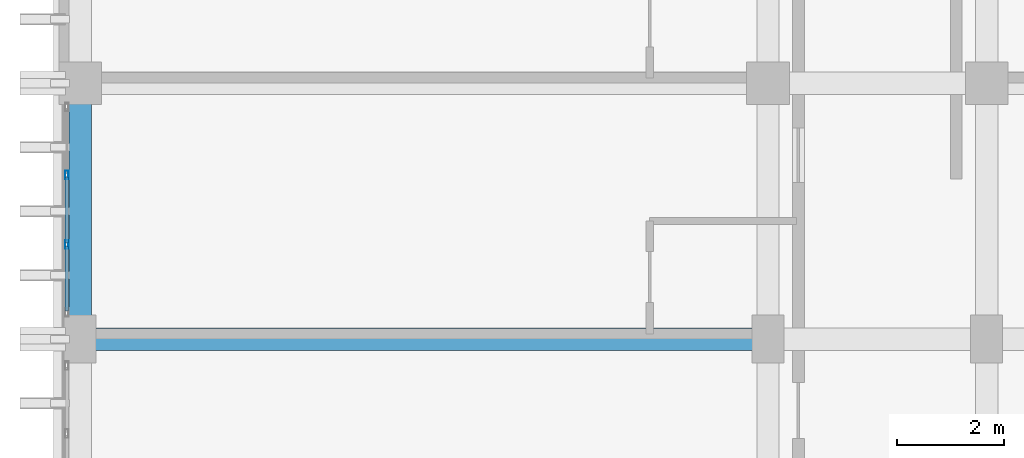
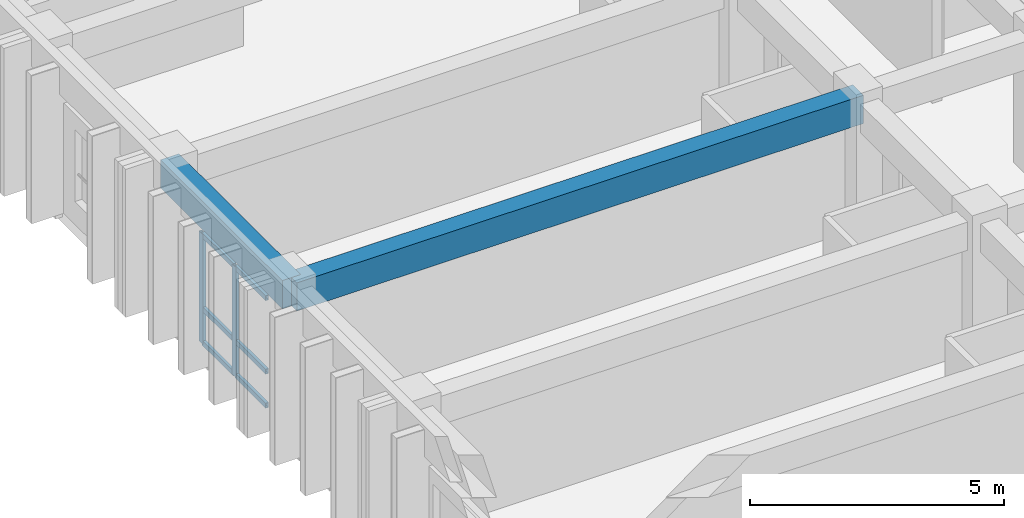
# One storey, part 21 of 82: 8 members, 2 beams, 1 element without a shape of its own.
"""IFC4 building model written with IfcOpenShell, lengths in metres."""

from ifc_helpers import new_model, si_unit, direction, frame, origin, origin_2d, place, context, subcontext, project, spatial, rectangle, hollow_rectangle, extrude, material, layer, layer_set, material_profile, profile_set, type_object, element, aggregate, save


model = new_model("IFC4")

# Units and contexts
model_context = context("Model", 3, precision=1e-05, world=origin(), true_north=direction((0.0, 1.0)))
body_context = subcontext(model_context, "Body", "Model", "MODEL_VIEW")
ifc_project = project(units=[si_unit("LENGTHUNIT", "METRE"), si_unit("AREAUNIT", "SQUARE_METRE"), si_unit("VOLUMEUNIT", "CUBIC_METRE"), si_unit("PLANEANGLEUNIT", "RADIAN"), si_unit("MASSUNIT", "GRAM", prefix="KILO")], contexts=[model_context])

# Site, building, storey
site_placement = place(None, origin())
site = spatial("IfcSite", under=ifc_project, at=site_placement, CompositionType="ELEMENT")
building_placement = place(site_placement, origin())
building = spatial("IfcBuilding", under=site, at=building_placement, Name="Nakhvara Creek Congress Hotel", CompositionType="ELEMENT")
storey_placement = place(building_placement, frame((0.0, 0.0, 21.0)))
storey = spatial("IfcBuildingStorey", under=building, at=storey_placement, Name="L04", CompositionType="ELEMENT", Elevation=21.0)

# Beams
ifc_material_1 = material(Name="Concrete C40/50", Category="concrete")
ifc_material_profile_1 = material_profile(ifc_material_1, rectangle(XDim=0.419921875, YDim=0.679931640625, at=origin_2d()), Name="RC-BM 420x680", Category="LoadBearing")
ifc_profile_set_1 = profile_set([ifc_material_profile_1], Name="Concrete C40/50")
beam_type = type_object("IfcBeamType", Name="BM-RC-420X680", PredefinedType="BEAM", material=ifc_profile_set_1)
beam_1_placement = place(storey_placement, frame((149.449951171875, 62.39990234375, 3.0), z_axis=(0.0, 1.0, 0.0), x_axis=(-1.0, 0.0, 0.0)))
element("IfcBeam", 1, at=beam_1_placement, inside=storey, type_object=beam_type, Name="Beam B11-L04-1924", PredefinedType="BEAM", context=body_context, shape_type="SweptSolid", body=[
    extrude(rectangle(XDim=0.419921875, YDim=0.679931640625, at=origin_2d()), origin(), (0.0, 0.0, 1.0), 4.800048828125),
])
beam_2_placement = place(storey_placement, frame((149.449951171875, 62.39990234375, 3.0), z_axis=(1.0, 0.0, 0.0), x_axis=(0.0, 1.0, 0.0)))
element("IfcBeam", 2, at=beam_2_placement, inside=storey, type_object=beam_type, Name="Beam B11-L04-2033", PredefinedType="BEAM", context=body_context, shape_type="SweptSolid", body=[
    extrude(rectangle(XDim=0.419921875, YDim=0.679931640625, at=origin_2d()), origin(), (0.0, 0.0, 1.0), 12.900146484375),
])

# Curtain wall, members
ifc_material_2 = material(Name="Bronze-anodised aluminium AW-6063-T6 and double-silver low-E glass", Category="aluminium")
ifc_layer = layer(ifc_material_2, 0.199951171875)
ifc_layer_set = layer_set([ifc_layer], Name="Bronze-anodised aluminium AW-6063-T6 and double-silver low-E glass")
curtain_wall_type = type_object("IfcCurtainWallType", Name="CW-HTL-UNIT", PredefinedType="USERDEFINED", material=ifc_layer_set)
curtain_wall_placement = place(storey_placement, origin())
curtain_wall = element("IfcCurtainWall", 3, at=curtain_wall_placement, inside=storey, type_object=curtain_wall_type, Name="Curtain Wall CW185", ObjectType="UNITISED", PredefinedType="USERDEFINED")
ifc_material_3 = material(Name="Bronze-anodised aluminium AW-6063-T6", Category="aluminium")
ifc_material_profile_2 = material_profile(ifc_material_3, hollow_rectangle(XDim=0.06494140625, YDim=0.159912109375, WallThickness=0.00390625, at=origin_2d()), Name="ALU-MULL 65x160x4", Category="LoadBearing")
ifc_profile_set_2 = profile_set([ifc_material_profile_2], Name="Bronze-anodised aluminium AW-6063-T6")
member_type_1 = type_object("IfcMemberType", Name="CW-MULL-160", PredefinedType="MULLION", material=ifc_profile_set_2)
member_1_placement = place(storey_placement, frame((149.199951171875, 64.171630859375, 0.0), z_axis=(0.0, 0.0, 1.0), x_axis=(-1.0, 0.0, 0.0)))
member_1 = element("IfcMember", 4, at=member_1_placement, type_object=member_type_1, Name="CW185 mullion 2", PredefinedType="MULLION", context=body_context, shape_type="SweptSolid", body=[
    extrude(hollow_rectangle(XDim=0.06494140625, YDim=0.159912109375, WallThickness=0.00390625, at=origin_2d()), origin(), (0.0, 0.0, 1.0), 2.652099609375),
])
member_2_placement = place(storey_placement, frame((149.199951171875, 65.478271484375, 0.0), z_axis=(0.0, 0.0, 1.0), x_axis=(-1.0, 0.0, 0.0)))
member_2 = element("IfcMember", 5, at=member_2_placement, type_object=member_type_1, Name="CW185 mullion 3", PredefinedType="MULLION", context=body_context, shape_type="SweptSolid", body=[
    extrude(hollow_rectangle(XDim=0.06494140625, YDim=0.159912109375, WallThickness=0.00390625, at=origin_2d()), origin(), (0.0, 0.0, 1.0), 2.652099609375),
])
ifc_material_profile_3 = material_profile(ifc_material_3, hollow_rectangle(XDim=0.06494140625, YDim=0.1201171875, WallThickness=0.00390625, at=origin_2d()), Name="ALU-TRAN 65x120x4", Category="LoadBearing")
ifc_profile_set_3 = profile_set([ifc_material_profile_3], Name="Bronze-anodised aluminium AW-6063-T6")
member_type_2 = type_object("IfcMemberType", Name="CW-TRAN-120", PredefinedType="USERDEFINED", material=ifc_profile_set_3)
member_3_placement = place(storey_placement, frame((149.199951171875, 62.929931640625, 0.032470703125), z_axis=(0.0, 1.0, 0.0), x_axis=(-1.0, 0.0, 0.0)))
member_3 = element("IfcMember", 6, at=member_3_placement, type_object=member_type_2, Name="CW185 transom 1.1", ObjectType="TRANSOM", PredefinedType="USERDEFINED", context=body_context, shape_type="SweptSolid", body=[
    extrude(hollow_rectangle(XDim=0.06494140625, YDim=0.1201171875, WallThickness=0.00390625, at=origin_2d()), origin(), (0.0, 0.0, 1.0), 1.209228515625),
])
member_4_placement = place(storey_placement, frame((149.199951171875, 62.929931640625, 0.85009765625), z_axis=(0.0, 1.0, 0.0), x_axis=(-1.0, 0.0, 0.0)))
member_4 = element("IfcMember", 7, at=member_4_placement, type_object=member_type_2, Name="CW185 transom 1.2", ObjectType="TRANSOM", PredefinedType="USERDEFINED", context=body_context, shape_type="SweptSolid", body=[
    extrude(hollow_rectangle(XDim=0.06494140625, YDim=0.1201171875, WallThickness=0.00390625, at=origin_2d()), origin(), (0.0, 0.0, 1.0), 1.209228515625),
])
member_5_placement = place(storey_placement, frame((149.199951171875, 62.929931640625, 2.619384765625), z_axis=(0.0, 1.0, 0.0), x_axis=(-1.0, 0.0, 0.0)))
member_5 = element("IfcMember", 8, at=member_5_placement, type_object=member_type_2, Name="CW185 transom 1.3", ObjectType="TRANSOM", PredefinedType="USERDEFINED", context=body_context, shape_type="SweptSolid", body=[
    extrude(hollow_rectangle(XDim=0.06494140625, YDim=0.1201171875, WallThickness=0.00390625, at=origin_2d()), origin(), (0.0, 0.0, 1.0), 1.209228515625),
])
member_6_placement = place(storey_placement, frame((149.199951171875, 64.2041015625, 0.032470703125), z_axis=(0.0, 1.0, 0.0), x_axis=(-1.0, 0.0, 0.0)))
member_6 = element("IfcMember", 9, at=member_6_placement, type_object=member_type_2, Name="CW185 transom 2.1", ObjectType="TRANSOM", PredefinedType="USERDEFINED", context=body_context, shape_type="SweptSolid", body=[
    extrude(hollow_rectangle(XDim=0.06494140625, YDim=0.1201171875, WallThickness=0.00390625, at=origin_2d()), origin(), (0.0, 0.0, 1.0), 1.24169921875),
])
member_7_placement = place(storey_placement, frame((149.199951171875, 64.2041015625, 0.85009765625), z_axis=(0.0, 1.0, 0.0), x_axis=(-1.0, 0.0, 0.0)))
member_7 = element("IfcMember", 10, at=member_7_placement, type_object=member_type_2, Name="CW185 transom 2.2", ObjectType="TRANSOM", PredefinedType="USERDEFINED", context=body_context, shape_type="SweptSolid", body=[
    extrude(hollow_rectangle(XDim=0.06494140625, YDim=0.1201171875, WallThickness=0.00390625, at=origin_2d()), origin(), (0.0, 0.0, 1.0), 1.24169921875),
])
member_8_placement = place(storey_placement, frame((149.199951171875, 64.2041015625, 2.619384765625), z_axis=(0.0, 1.0, 0.0), x_axis=(-1.0, 0.0, 0.0)))
member_8 = element("IfcMember", 11, at=member_8_placement, type_object=member_type_2, Name="CW185 transom 2.3", ObjectType="TRANSOM", PredefinedType="USERDEFINED", context=body_context, shape_type="SweptSolid", body=[
    extrude(hollow_rectangle(XDim=0.06494140625, YDim=0.1201171875, WallThickness=0.00390625, at=origin_2d()), origin(), (0.0, 0.0, 1.0), 1.24169921875),
])
aggregate(curtain_wall, [member_1, member_2, member_3, member_4, member_5, member_6, member_7, member_8])

save(model, "model.ifc")
